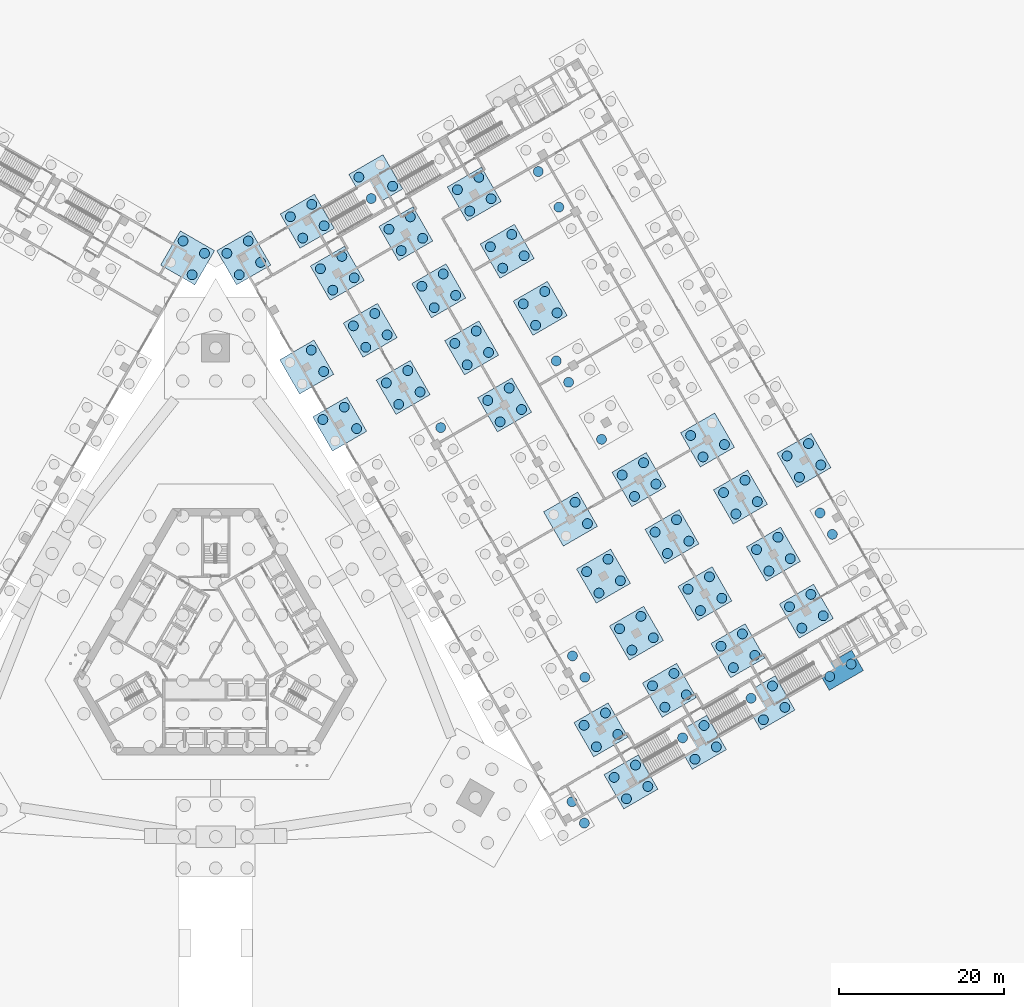
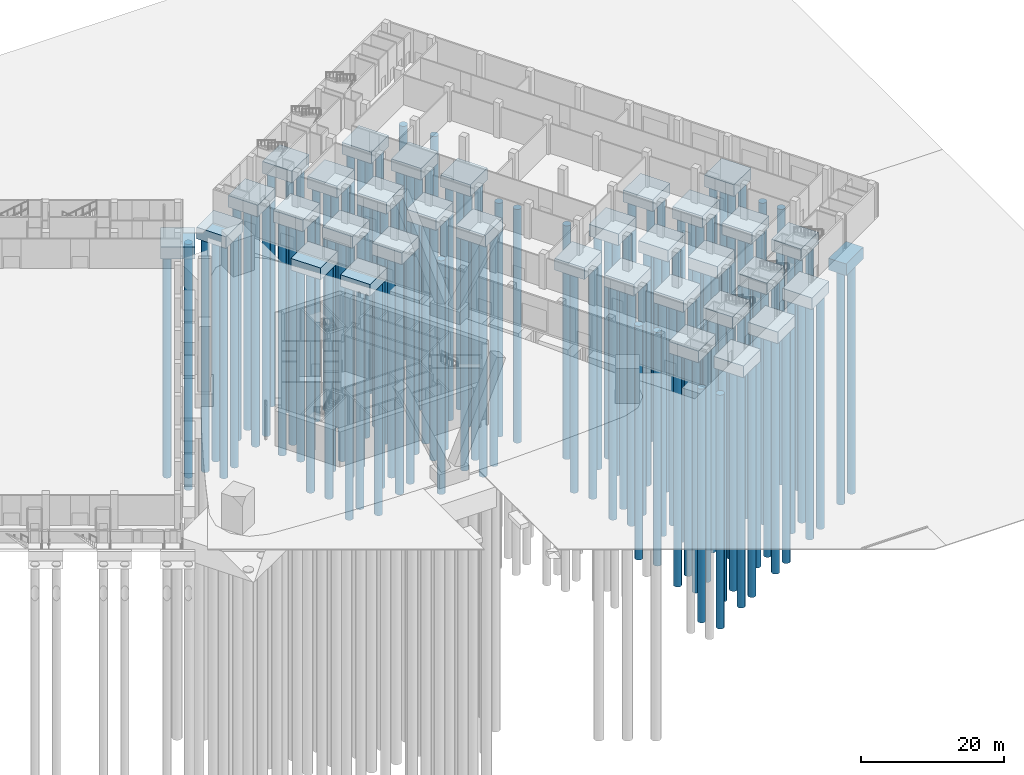
# One storey, part 3 of 38: 138 piles, 34 footings.
"""IFC4 building model written with IfcOpenShell, lengths in metres."""

from ifc_helpers import new_model, si_unit, direction, frame, origin, origin_2d, place, context, subcontext, project, spatial, polyline, circle, outline, extrude, material, layer, layer_set, material_profile, profile_set, type_object, element, save


model = new_model("IFC4")

# Units and contexts
model_context = context("Model", 3, precision=1e-05, world=origin(), true_north=direction((0.0, 1.0)))
body_context = subcontext(model_context, "Body", "Model", "MODEL_VIEW")
ifc_project = project(units=[si_unit("LENGTHUNIT", "METRE"), si_unit("AREAUNIT", "SQUARE_METRE"), si_unit("VOLUMEUNIT", "CUBIC_METRE"), si_unit("PLANEANGLEUNIT", "RADIAN"), si_unit("MASSUNIT", "GRAM", prefix="KILO")], contexts=[model_context])

# Site, building, storey
site_placement = place(None, origin())
site = spatial("IfcSite", under=ifc_project, at=site_placement, CompositionType="ELEMENT")
building_placement = place(site_placement, origin())
building = spatial("IfcBuilding", under=site, at=building_placement, Name="Mestral Congress Tower", CompositionType="ELEMENT")
storey_placement = place(building_placement, origin())
storey = spatial("IfcBuildingStorey", under=building, at=storey_placement, Name="L00", CompositionType="ELEMENT", Elevation=0.0)

# Piles
ifc_material = material(Name="Concrete C35/45", Category="concrete")
ifc_material_profile = material_profile(ifc_material, circle(Radius=0.60009765625, at=origin_2d()), Name="D1200")
ifc_profile_set = profile_set([ifc_material_profile], Name="Concrete C35/45")
pile_type = type_object("IfcPileType", Name="Bored pile D1200", PredefinedType="BORED", material=ifc_profile_set)
for number, where, z_axis, x_axis, name in (
    (1, (44.759521484375, -21.269775390625, -2.14990234375), (0.0, 0.0, -1.0), (1.0, 0.0, 0.0), "PILE-WC-E-01A-02"),
    (2, (43.259521484375, -18.671630859375, -2.14990234375), (0.0, 0.0, -1.0), (1.0, 0.0, 0.0), "PILE-WC-E-01A-04"),
    (3, (49.869140625, -18.31982421875, -2.14990234375), (0.0, 0.0, -1.0), (1.0, 0.0, 0.0), "PILE-WC-E-01B-01"),
    (4, (52.46728515625, -16.81982421875, -2.14990234375), (0.0, 0.0, -1.0), (1.0, 0.0, 0.0), "PILE-WC-E-01B-02"),
    (5, (48.369140625, -15.7216796875, -2.14990234375), (0.0, 0.0, -1.0), (1.0, 0.0, 0.0), "PILE-WC-E-01B-03"),
    (6, (50.96728515625, -14.2216796875, -2.14990234375), (0.0, 0.0, -1.0), (1.0, 0.0, 0.0), "PILE-WC-E-01B-04"),
    (7, (58.182861328125, -13.519775390625, -2.14990234375), (0.0, 0.0, -1.0), (1.0, 0.0, 0.0), "PILE-WC-E-01C-01"),
    (8, (60.781005859375, -12.019775390625, -2.14990234375), (0.0, 0.0, -1.0), (1.0, 0.0, 0.0), "PILE-WC-E-01C-02"),
    (9, (56.682861328125, -10.921630859375, -2.14990234375), (0.0, 0.0, -1.0), (1.0, 0.0, 0.0), "PILE-WC-E-01C-03"),
    (10, (59.281005859375, -9.421630859375, -2.14990234375), (0.0, 0.0, -1.0), (1.0, 0.0, 0.0), "PILE-WC-E-01C-04"),
    (11, (66.496826171875, -8.7197265625, -2.14990234375), (0.0, 0.0, -1.0), (1.0, 0.0, 0.0), "PILE-WC-E-01D-01"),
    (12, (69.094970703125, -7.2197265625, -2.14990234375), (0.0, 0.0, -1.0), (1.0, 0.0, 0.0), "PILE-WC-E-01D-02"),
    (13, (64.996826171875, -6.12158203125, -2.14990234375), (0.0, 0.0, -1.0), (1.0, 0.0, 0.0), "PILE-WC-E-01D-03"),
    (14, (67.594970703125, -4.62158203125, -2.14990234375), (0.0, 0.0, -1.0), (1.0, 0.0, 0.0), "PILE-WC-E-01D-04"),
    (15, (74.548095703125, -3.465087890625, -2.14990234375), (0.0, 0.0, -1.0), (1.0, 0.0, 0.0), "PILE-WC-E-01E-01"),
    (16, (77.146240234375, -1.965087890625, -2.14990234375), (0.0, 0.0, -1.0), (1.0, 0.0, 0.0), "PILE-WC-E-01E-02"),
    (17, (46.218994140625, -11.997802734375, -2.14990234375), (0.0, 0.0, -1.0), (1.0, 0.0, 0.0), "PILE-WC-E-02B-01"),
    (18, (48.817138671875, -10.497802734375, -2.14990234375), (0.0, 0.0, -1.0), (1.0, 0.0, 0.0), "PILE-WC-E-02B-02"),
    (19, (44.718994140625, -9.39990234375, -2.14990234375), (0.0, 0.0, -1.0), (1.0, 0.0, 0.0), "PILE-WC-E-02B-03"),
    (20, (47.317138671875, -7.89990234375, -2.14990234375), (0.0, 0.0, -1.0), (1.0, 0.0, 0.0), "PILE-WC-E-02B-04"),
    (21, (54.532958984375, -7.19775390625, -2.14990234375), (0.0, 0.0, -1.0), (1.0, 0.0, 0.0), "PILE-WC-E-02C-01"),
    (22, (57.131103515625, -5.69775390625, -2.14990234375), (0.0, 0.0, -1.0), (1.0, 0.0, 0.0), "PILE-WC-E-02C-02"),
    (23, (53.032958984375, -4.599853515625, -2.14990234375), (0.0, 0.0, -1.0), (1.0, 0.0, 0.0), "PILE-WC-E-02C-03"),
    (24, (55.631103515625, -3.099853515625, -2.14990234375), (0.0, 0.0, -1.0), (1.0, 0.0, 0.0), "PILE-WC-E-02C-04"),
    (25, (62.8466796875, -2.397705078125, -2.14990234375), (0.0, 0.0, -1.0), (1.0, 0.0, 0.0), "PILE-WC-E-02D-01"),
    (26, (65.44482421875, -0.897705078125, -2.14990234375), (0.0, 0.0, -1.0), (1.0, 0.0, 0.0), "PILE-WC-E-02D-02"),
    (27, (61.3466796875, 0.2001953125, -2.14990234375), (0.0, 0.0, -1.0), (1.0, 0.0, 0.0), "PILE-WC-E-02D-03"),
    (28, (63.94482421875, 1.7001953125, -2.14990234375), (0.0, 0.0, -1.0), (1.0, 0.0, 0.0), "PILE-WC-E-02D-04"),
    (29, (71.16064453125, 2.402099609375, -2.14990234375), (0.0, 0.0, -1.0), (1.0, 0.0, 0.0), "PILE-WC-E-02E-01"),
    (30, (73.7587890625, 3.902099609375, -2.14990234375), (0.0, 0.0, -1.0), (1.0, 0.0, 0.0), "PILE-WC-E-02E-02"),
    (31, (69.66064453125, 5.000244140625, -2.14990234375), (0.0, 0.0, -1.0), (1.0, 0.0, 0.0), "PILE-WC-E-02E-03"),
    (32, (72.2587890625, 6.500244140625, -2.14990234375), (0.0, 0.0, -1.0), (1.0, 0.0, 0.0), "PILE-WC-E-02E-04"),
    (33, (44.817138671875, -3.569580078125, -2.14990234375), (0.0, 0.0, -1.0), (1.0, 0.0, 0.0), "PILE-WC-E-03B-02"),
    (34, (43.317138671875, -0.9716796875, -2.14990234375), (0.0, 0.0, -1.0), (1.0, 0.0, 0.0), "PILE-WC-E-03B-04"),
    (35, (50.532958984375, -0.26953125, -2.14990234375), (0.0, 0.0, -1.0), (1.0, 0.0, 0.0), "PILE-WC-E-03C-01"),
    (36, (53.131103515625, 1.23046875, -2.14990234375), (0.0, 0.0, -1.0), (1.0, 0.0, 0.0), "PILE-WC-E-03C-02"),
    (37, (49.032958984375, 2.328369140625, -2.14990234375), (0.0, 0.0, -1.0), (1.0, 0.0, 0.0), "PILE-WC-E-03C-03"),
    (38, (51.631103515625, 3.828369140625, -2.14990234375), (0.0, 0.0, -1.0), (1.0, 0.0, 0.0), "PILE-WC-E-03C-04"),
    (39, (58.8466796875, 4.530517578125, -2.14990234375), (0.0, 0.0, -1.0), (1.0, 0.0, 0.0), "PILE-WC-E-03D-01"),
    (40, (61.44482421875, 6.030517578125, -2.14990234375), (0.0, 0.0, -1.0), (1.0, 0.0, 0.0), "PILE-WC-E-03D-02"),
    (41, (57.3466796875, 7.12841796875, -2.14990234375), (0.0, 0.0, -1.0), (1.0, 0.0, 0.0), "PILE-WC-E-03D-03"),
    (42, (59.94482421875, 8.62841796875, -2.14990234375), (0.0, 0.0, -1.0), (1.0, 0.0, 0.0), "PILE-WC-E-03D-04"),
    (43, (67.16064453125, 9.330322265625, -2.14990234375), (0.0, 0.0, -1.0), (1.0, 0.0, 0.0), "PILE-WC-E-03E-01"),
    (44, (69.7587890625, 10.830322265625, -2.14990234375), (0.0, 0.0, -1.0), (1.0, 0.0, 0.0), "PILE-WC-E-03E-02"),
    (45, (65.66064453125, 11.928466796875, -2.14990234375), (0.0, 0.0, -1.0), (1.0, 0.0, 0.0), "PILE-WC-E-03E-03"),
    (46, (68.2587890625, 13.428466796875, -2.14990234375), (0.0, 0.0, -1.0), (1.0, 0.0, 0.0), "PILE-WC-E-03E-04"),
    (47, (74.868408203125, 13.780517578125, -2.14990234375), (0.0, 0.0, -1.0), (1.0, 0.0, 0.0), "PILE-WC-E-03F-01"),
    (48, (73.368408203125, 16.37841796875, -2.14990234375), (0.0, 0.0, -1.0), (1.0, 0.0, 0.0), "PILE-WC-E-03F-03"),
    (49, (46.532958984375, 6.65869140625, -2.14990234375), (0.0, 0.0, -1.0), (1.0, 0.0, 0.0), "PILE-WC-E-04C-01"),
    (50, (49.131103515625, 8.15869140625, -2.14990234375), (0.0, 0.0, -1.0), (1.0, 0.0, 0.0), "PILE-WC-E-04C-02"),
    (51, (45.032958984375, 9.256591796875, -2.14990234375), (0.0, 0.0, -1.0), (1.0, 0.0, 0.0), "PILE-WC-E-04C-03"),
    (52, (47.631103515625, 10.756591796875, -2.14990234375), (0.0, 0.0, -1.0), (1.0, 0.0, 0.0), "PILE-WC-E-04C-04"),
    (53, (54.8466796875, 11.45849609375, -2.14990234375), (0.0, 0.0, -1.0), (1.0, 0.0, 0.0), "PILE-WC-E-04D-01"),
    (54, (57.44482421875, 12.95849609375, -2.14990234375), (0.0, 0.0, -1.0), (1.0, 0.0, 0.0), "PILE-WC-E-04D-02"),
    (55, (53.3466796875, 14.056640625, -2.14990234375), (0.0, 0.0, -1.0), (1.0, 0.0, 0.0), "PILE-WC-E-04D-03"),
    (56, (55.94482421875, 15.556640625, -2.14990234375), (0.0, 0.0, -1.0), (1.0, 0.0, 0.0), "PILE-WC-E-04D-04"),
    (57, (63.16064453125, 16.258544921875, -2.14990234375), (0.0, 0.0, -1.0), (1.0, 0.0, 0.0), "PILE-WC-E-04E-01"),
    (58, (65.7587890625, 17.758544921875, -2.14990234375), (0.0, 0.0, -1.0), (1.0, 0.0, 0.0), "PILE-WC-E-04E-02"),
    (59, (61.66064453125, 18.856689453125, -2.14990234375), (0.0, 0.0, -1.0), (1.0, 0.0, 0.0), "PILE-WC-E-04E-03"),
    (60, (64.2587890625, 20.356689453125, -2.14990234375), (0.0, 0.0, -1.0), (1.0, 0.0, 0.0), "PILE-WC-E-04E-04"),
    (61, (70.868408203125, 20.70849609375, -2.14990234375), (0.0, 0.0, -1.0), (1.0, 0.0, 0.0), "PILE-WC-E-04F-01"),
    (62, (73.46630859375, 22.20849609375, -2.14990234375), (0.0, 0.0, -1.0), (1.0, 0.0, 0.0), "PILE-WC-E-04F-02"),
    (63, (69.368408203125, 23.306640625, -2.14990234375), (0.0, 0.0, -1.0), (1.0, 0.0, 0.0), "PILE-WC-E-04F-03"),
    (64, (71.96630859375, 24.806640625, -2.14990234375), (0.0, 0.0, -1.0), (1.0, 0.0, 0.0), "PILE-WC-E-04F-04"),
    (65, (45.131103515625, 15.0869140625, -2.14990234375), (0.0, 0.0, -1.0), (1.0, 0.0, 0.0), "PILE-WC-E-05C-02"),
    (66, (43.631103515625, 17.684814453125, -2.14990234375), (0.0, 0.0, -1.0), (1.0, 0.0, 0.0), "PILE-WC-E-05C-04"),
    (67, (50.8466796875, 18.38671875, -2.14990234375), (0.0, 0.0, -1.0), (1.0, 0.0, 0.0), "PILE-WC-E-05D-01"),
    (68, (53.44482421875, 19.88671875, -2.14990234375), (0.0, 0.0, -1.0), (1.0, 0.0, 0.0), "PILE-WC-E-05D-02"),
    (69, (49.3466796875, 20.98486328125, -2.14990234375), (0.0, 0.0, -1.0), (1.0, 0.0, 0.0), "PILE-WC-E-05D-03"),
    (70, (51.94482421875, 22.48486328125, -2.14990234375), (0.0, 0.0, -1.0), (1.0, 0.0, 0.0), "PILE-WC-E-05D-04"),
    (71, (59.16064453125, 23.186767578125, -2.14990234375), (0.0, 0.0, -1.0), (1.0, 0.0, 0.0), "PILE-WC-E-05E-01"),
    (72, (61.7587890625, 24.686767578125, -2.14990234375), (0.0, 0.0, -1.0), (1.0, 0.0, 0.0), "PILE-WC-E-05E-02"),
    (73, (57.66064453125, 25.784912109375, -2.14990234375), (0.0, 0.0, -1.0), (1.0, 0.0, 0.0), "PILE-WC-E-05E-03"),
    (74, (46.8466796875, 25.31494140625, -2.14990234375), (0.0, 0.0, -1.0), (1.0, 0.0, 0.0), "PILE-WC-E-06D-01"),
    (75, (27.317138671875, 26.7412109375, -2.14990234375), (0.0, 0.0, -1.0), (1.0, 0.0, 0.0), "PILE-WC-E-07B-04"),
    (76, (34.532958984375, 27.443115234375, -2.14990234375), (0.0, 0.0, -1.0), (1.0, 0.0, 0.0), "PILE-WC-E-07C-01"),
    (77, (37.131103515625, 28.943115234375, -2.14990234375), (0.0, 0.0, -1.0), (1.0, 0.0, 0.0), "PILE-WC-E-07C-02"),
    (78, (33.032958984375, 30.041259765625, -2.14990234375), (0.0, 0.0, -1.0), (1.0, 0.0, 0.0), "PILE-WC-E-07C-03"),
    (79, (35.631103515625, 31.541259765625, -2.14990234375), (0.0, 0.0, -1.0), (1.0, 0.0, 0.0), "PILE-WC-E-07C-04"),
    (80, (42.8466796875, 32.2431640625, -2.14990234375), (0.0, 0.0, -1.0), (1.0, 0.0, 0.0), "PILE-WC-E-07D-01"),
    (81, (41.3466796875, 34.84130859375, -2.14990234375), (0.0, 0.0, -1.0), (1.0, 0.0, 0.0), "PILE-WC-E-07D-03"),
    (82, (17.109619140625, 26.621337890625, -2.14990234375), (0.0, 0.0, -1.0), (1.0, 0.0, 0.0), "PILE-WC-E-08A-02"),
    (83, (13.011474609375, 27.719482421875, -2.14990234375), (0.0, 0.0, -1.0), (1.0, 0.0, 0.0), "PILE-WC-E-08A-03"),
    (84, (15.609619140625, 29.219482421875, -2.14990234375), (0.0, 0.0, -1.0), (1.0, 0.0, 0.0), "PILE-WC-E-08A-04"),
    (85, (22.218994140625, 29.5712890625, -2.14990234375), (0.0, 0.0, -1.0), (1.0, 0.0, 0.0), "PILE-WC-E-08B-01"),
    (86, (24.817138671875, 31.0712890625, -2.14990234375), (0.0, 0.0, -1.0), (1.0, 0.0, 0.0), "PILE-WC-E-08B-02"),
    (87, (20.718994140625, 32.16943359375, -2.14990234375), (0.0, 0.0, -1.0), (1.0, 0.0, 0.0), "PILE-WC-E-08B-03"),
    (88, (23.317138671875, 33.66943359375, -2.14990234375), (0.0, 0.0, -1.0), (1.0, 0.0, 0.0), "PILE-WC-E-08B-04"),
    (89, (30.532958984375, 34.371337890625, -2.14990234375), (0.0, 0.0, -1.0), (1.0, 0.0, 0.0), "PILE-WC-E-08C-01"),
    (90, (33.131103515625, 35.871337890625, -2.14990234375), (0.0, 0.0, -1.0), (1.0, 0.0, 0.0), "PILE-WC-E-08C-02"),
    (91, (29.032958984375, 36.969482421875, -2.14990234375), (0.0, 0.0, -1.0), (1.0, 0.0, 0.0), "PILE-WC-E-08C-03"),
    (92, (31.631103515625, 38.469482421875, -2.14990234375), (0.0, 0.0, -1.0), (1.0, 0.0, 0.0), "PILE-WC-E-08C-04"),
    (93, (38.8466796875, 39.17138671875, -2.14990234375), (0.0, 0.0, -1.0), (1.0, 0.0, 0.0), "PILE-WC-E-08D-01"),
    (94, (41.44482421875, 40.67138671875, -2.14990234375), (0.0, 0.0, -1.0), (1.0, 0.0, 0.0), "PILE-WC-E-08D-02"),
    (95, (37.3466796875, 41.76953125, -2.14990234375), (0.0, 0.0, -1.0), (1.0, 0.0, 0.0), "PILE-WC-E-08D-03"),
    (96, (39.94482421875, 43.26953125, -2.14990234375), (0.0, 0.0, -1.0), (1.0, 0.0, 0.0), "PILE-WC-E-08D-04"),
    (97, (13.109619140625, 33.549560546875, -2.14990234375), (0.0, 0.0, -1.0), (1.0, 0.0, 0.0), "PILE-WC-E-09A-02"),
    (98, (11.609619140625, 36.147705078125, -2.14990234375), (0.0, 0.0, -1.0), (1.0, 0.0, 0.0), "PILE-WC-E-09A-04"),
    (99, (18.218994140625, 36.49951171875, -2.14990234375), (0.0, 0.0, -1.0), (1.0, 0.0, 0.0), "PILE-WC-E-09B-01"),
    (100, (20.817138671875, 37.99951171875, -2.14990234375), (0.0, 0.0, -1.0), (1.0, 0.0, 0.0), "PILE-WC-E-09B-02"),
    (101, (16.718994140625, 39.09765625, -2.14990234375), (0.0, 0.0, -1.0), (1.0, 0.0, 0.0), "PILE-WC-E-09B-03"),
    (102, (19.317138671875, 40.59765625, -2.14990234375), (0.0, 0.0, -1.0), (1.0, 0.0, 0.0), "PILE-WC-E-09B-04"),
    (103, (26.532958984375, 41.299560546875, -2.14990234375), (0.0, 0.0, -1.0), (1.0, 0.0, 0.0), "PILE-WC-E-09C-01"),
    (104, (29.131103515625, 42.799560546875, -2.14990234375), (0.0, 0.0, -1.0), (1.0, 0.0, 0.0), "PILE-WC-E-09C-02"),
    (105, (25.032958984375, 43.897705078125, -2.14990234375), (0.0, 0.0, -1.0), (1.0, 0.0, 0.0), "PILE-WC-E-09C-03"),
    (106, (27.631103515625, 45.397705078125, -2.14990234375), (0.0, 0.0, -1.0), (1.0, 0.0, 0.0), "PILE-WC-E-09C-04"),
    (107, (34.8466796875, 46.099609375, -2.14990234375), (0.0, 0.0, -1.0), (1.0, 0.0, 0.0), "PILE-WC-E-09D-01"),
    (108, (37.44482421875, 47.599609375, -2.14990234375), (0.0, 0.0, -1.0), (1.0, 0.0, 0.0), "PILE-WC-E-09D-02"),
    (109, (33.3466796875, 48.69775390625, -2.14990234375), (0.0, 0.0, -1.0), (1.0, 0.0, 0.0), "PILE-WC-E-09D-03"),
    (110, (35.94482421875, 50.19775390625, -2.14990234375), (0.0, 0.0, -1.0), (1.0, 0.0, 0.0), "PILE-WC-E-09D-04"),
    (111, (41.66064453125, 53.497802734375, -2.14990234375), (0.0, 0.0, -1.0), (1.0, 0.0, 0.0), "PILE-WC-E-09E-03"),
    (112, (14.218994140625, 43.427734375, -2.14990234375), (0.0, 0.0, -1.0), (1.0, 0.0, 0.0), "PILE-WC-E-10B-01"),
    (113, (16.817138671875, 44.927734375, -2.14990234375), (0.0, 0.0, -1.0), (1.0, 0.0, 0.0), "PILE-WC-E-10B-02"),
    (114, (12.718994140625, 46.02587890625, -2.14990234375), (0.0, 0.0, -1.0), (1.0, 0.0, 0.0), "PILE-WC-E-10B-03"),
    (115, (15.317138671875, 47.52587890625, -2.14990234375), (0.0, 0.0, -1.0), (1.0, 0.0, 0.0), "PILE-WC-E-10B-04"),
    (116, (22.532958984375, 48.227783203125, -2.14990234375), (0.0, 0.0, -1.0), (1.0, 0.0, 0.0), "PILE-WC-E-10C-01"),
    (117, (25.131103515625, 49.727783203125, -2.14990234375), (0.0, 0.0, -1.0), (1.0, 0.0, 0.0), "PILE-WC-E-10C-02"),
    (118, (21.032958984375, 50.825927734375, -2.14990234375), (0.0, 0.0, -1.0), (1.0, 0.0, 0.0), "PILE-WC-E-10C-03"),
    (119, (23.631103515625, 52.325927734375, -2.14990234375), (0.0, 0.0, -1.0), (1.0, 0.0, 0.0), "PILE-WC-E-10C-04"),
    (120, (30.8466796875, 53.02783203125, -2.14990234375), (0.0, 0.0, -1.0), (1.0, 0.0, 0.0), "PILE-WC-E-10D-01"),
    (121, (33.44482421875, 54.52783203125, -2.14990234375), (0.0, 0.0, -1.0), (1.0, 0.0, 0.0), "PILE-WC-E-10D-02"),
    (122, (29.3466796875, 55.6259765625, -2.14990234375), (0.0, 0.0, -1.0), (1.0, 0.0, 0.0), "PILE-WC-E-10D-03"),
    (123, (31.94482421875, 57.1259765625, -2.14990234375), (0.0, 0.0, -1.0), (1.0, 0.0, 0.0), "PILE-WC-E-10D-04"),
    (124, (39.16064453125, 57.827880859375, -2.14990234375), (0.0, 0.0, -1.0), (1.0, 0.0, 0.0), "PILE-WC-E-10E-01"),
    (125, (2.861572265625, 45.2998046875, -2.14990234375), (0.0, 0.0, -1.0), (1.0, 0.0, 0.0), "PILE-WC-E-11A-01"),
    (126, (5.459716796875, 46.7998046875, -2.14990234375), (0.0, 0.0, -1.0), (1.0, 0.0, 0.0), "PILE-WC-E-11A-02"),
    (127, (1.361572265625, 47.89794921875, -2.14990234375), (0.0, 0.0, -1.0), (1.0, 0.0, 0.0), "PILE-WC-E-11A-03"),
    (128, (3.959716796875, 49.39794921875, -2.14990234375), (0.0, 0.0, -1.0), (1.0, 0.0, 0.0), "PILE-WC-E-11A-04"),
    (129, (10.569091796875, 49.749755859375, -2.14990234375), (0.0, 0.0, -1.0), (1.0, 0.0, 0.0), "PILE-WC-E-11B-01"),
    (130, (13.167236328125, 51.249755859375, -2.14990234375), (0.0, 0.0, -1.0), (1.0, 0.0, 0.0), "PILE-WC-E-11B-02"),
    (131, (9.069091796875, 52.347900390625, -2.14990234375), (0.0, 0.0, -1.0), (1.0, 0.0, 0.0), "PILE-WC-E-11B-03"),
    (132, (11.667236328125, 53.847900390625, -2.14990234375), (0.0, 0.0, -1.0), (1.0, 0.0, 0.0), "PILE-WC-E-11B-04"),
    (133, (18.8828125, 54.5498046875, -2.14990234375), (0.0, 0.0, -1.0), (1.0, 0.0, 0.0), "PILE-WC-E-11C-01"),
    (134, (21.48095703125, 56.0498046875, -2.14990234375), (0.0, 0.0, -1.0), (1.0, 0.0, 0.0), "PILE-WC-E-11C-02"),
    (135, (17.3828125, 57.14794921875, -2.14990234375), (0.0, 0.0, -1.0), (1.0, 0.0, 0.0), "PILE-WC-E-11C-03"),
    (136, (-1.361572265625, 47.897705078125, -2.14990234375), (0.0, 0.0, -1.0), (1.0, 0.0, 0.0), "PILE-WC-W-01A-01"),
    (137, (-3.959716796875, 49.397705078125, -2.14990234375), (0.0, 0.0, -1.0), (1.0, 0.0, 0.0), "PILE-WC-W-01A-02"),
    (138, (-2.861572265625, 45.2998046875, -2.14990234375), (0.0, 0.0, -1.0), (1.0, 0.0, 0.0), "PILE-WC-W-01A-03"),
):
    element("IfcPile", number, at=place(storey_placement, frame(where, z_axis=z_axis, x_axis=x_axis)), inside=storey, type_object=pile_type, Name=name, PredefinedType="BORED", context=body_context, shape_type="SweptSolid", body=[
        extrude(circle(Radius=0.60009765625, at=origin_2d()), origin(), (0.0, 0.0, 1.0), 40.0),
    ])

# Footings
ifc_layer = layer(ifc_material, 2.0)
ifc_layer_set = layer_set([ifc_layer], Name="Concrete C35/45")
footing_type = type_object("IfcFootingType", Name="Wing pile cap 4800", PredefinedType="PILE_CAP", material=ifc_layer_set)
placement = place(storey_placement, frame((0.0, 0.0, -2.300048828125)))
element("IfcFooting", 139, at=placement, inside=storey, type_object=footing_type, Name="FT-WC-E-01B", PredefinedType="PILE_CAP", context=body_context, shape_type="SweptSolid", body=[
    extrude(outline(polyline([(49.539794921875, -19.54931640625), (53.696533203125, -17.149169921875), (51.296630859375, -12.9921875), (47.1396484375, -15.392333984375), (49.539794921875, -19.54931640625)])), origin(), (0.0, 0.0, 1.0), 2.0),
])
element("IfcFooting", 140, at=placement, inside=storey, type_object=footing_type, Name="FT-WC-E-01C", PredefinedType="PILE_CAP", context=body_context, shape_type="SweptSolid", body=[
    extrude(outline(polyline([(57.853515625, -14.749267578125), (62.010498046875, -12.34912109375), (59.6103515625, -8.1923828125), (55.45361328125, -10.59228515625), (57.853515625, -14.749267578125)])), origin(), (0.0, 0.0, 1.0), 2.0),
])
element("IfcFooting", 141, at=placement, inside=storey, type_object=footing_type, Name="FT-WC-E-01D", PredefinedType="PILE_CAP", context=body_context, shape_type="SweptSolid", body=[
    extrude(outline(polyline([(66.16748046875, -9.94921875), (70.32421875, -7.54931640625), (67.92431640625, -3.392333984375), (63.767333984375, -5.792236328125), (66.16748046875, -9.94921875)])), origin(), (0.0, 0.0, 1.0), 2.0),
])
element("IfcFooting", 142, at=placement, inside=storey, type_object=footing_type, Name="FT-WC-E-01E", PredefinedType="PILE_CAP", context=body_context, shape_type="SweptSolid", body=[
    extrude(outline(polyline([(74.481201171875, -5.149169921875), (78.63818359375, -2.749267578125), (77.213134765625, -0.281005859375), (73.05615234375, -2.68115234375), (74.481201171875, -5.149169921875)])), origin(), (0.0, 0.0, 1.0), 2.0),
])
element("IfcFooting", 143, at=placement, inside=storey, type_object=footing_type, Name="FT-WC-E-02B", PredefinedType="PILE_CAP", context=body_context, shape_type="SweptSolid", body=[
    extrude(outline(polyline([(45.8896484375, -13.227294921875), (50.046630859375, -10.827392578125), (47.646484375, -6.67041015625), (43.48974609375, -9.0703125), (45.8896484375, -13.227294921875)])), origin(), (0.0, 0.0, 1.0), 2.0),
])
element("IfcFooting", 144, at=placement, inside=storey, type_object=footing_type, Name="FT-WC-E-02C", PredefinedType="PILE_CAP", context=body_context, shape_type="SweptSolid", body=[
    extrude(outline(polyline([(54.20361328125, -8.42724609375), (58.3603515625, -6.02734375), (55.96044921875, -1.870361328125), (51.803466796875, -4.270263671875), (54.20361328125, -8.42724609375)])), origin(), (0.0, 0.0, 1.0), 2.0),
])
element("IfcFooting", 145, at=placement, inside=storey, type_object=footing_type, Name="FT-WC-E-02D", PredefinedType="PILE_CAP", context=body_context, shape_type="SweptSolid", body=[
    extrude(outline(polyline([(62.517333984375, -3.627197265625), (66.67431640625, -1.227294921875), (64.2744140625, 2.9296875), (60.117431640625, 0.52978515625), (62.517333984375, -3.627197265625)])), origin(), (0.0, 0.0, 1.0), 2.0),
])
element("IfcFooting", 146, at=placement, inside=storey, type_object=footing_type, Name="FT-WC-E-02E", PredefinedType="PILE_CAP", context=body_context, shape_type="SweptSolid", body=[
    extrude(outline(polyline([(70.831298828125, 1.172607421875), (74.988037109375, 3.57275390625), (72.588134765625, 7.729736328125), (68.43115234375, 5.32958984375), (70.831298828125, 1.172607421875)])), origin(), (0.0, 0.0, 1.0), 2.0),
])
element("IfcFooting", 147, at=placement, inside=storey, type_object=footing_type, Name="FT-WC-E-03C", PredefinedType="PILE_CAP", context=body_context, shape_type="SweptSolid", body=[
    extrude(outline(polyline([(50.20361328125, -1.4990234375), (54.3603515625, 0.90087890625), (51.96044921875, 5.057861328125), (47.803466796875, 2.657958984375), (50.20361328125, -1.4990234375)])), origin(), (0.0, 0.0, 1.0), 2.0),
])
element("IfcFooting", 148, at=placement, inside=storey, type_object=footing_type, Name="FT-WC-E-03D", PredefinedType="PILE_CAP", context=body_context, shape_type="SweptSolid", body=[
    extrude(outline(polyline([(58.517333984375, 3.30078125), (62.67431640625, 5.700927734375), (60.2744140625, 9.85791015625), (56.117431640625, 7.4580078125), (58.517333984375, 3.30078125)])), origin(), (0.0, 0.0, 1.0), 2.0),
])
element("IfcFooting", 149, at=placement, inside=storey, type_object=footing_type, Name="FT-WC-E-03E", PredefinedType="PILE_CAP", context=body_context, shape_type="SweptSolid", body=[
    extrude(outline(polyline([(66.831298828125, 8.100830078125), (70.988037109375, 10.5009765625), (68.588134765625, 14.657958984375), (64.43115234375, 12.2578125), (66.831298828125, 8.100830078125)])), origin(), (0.0, 0.0, 1.0), 2.0),
])
element("IfcFooting", 150, at=placement, inside=storey, type_object=footing_type, Name="FT-WC-E-04C", PredefinedType="PILE_CAP", context=body_context, shape_type="SweptSolid", body=[
    extrude(outline(polyline([(46.20361328125, 5.42919921875), (50.3603515625, 7.8291015625), (47.96044921875, 11.986083984375), (43.803466796875, 9.586181640625), (46.20361328125, 5.42919921875)])), origin(), (0.0, 0.0, 1.0), 2.0),
])
element("IfcFooting", 151, at=placement, inside=storey, type_object=footing_type, Name="FT-WC-E-04D", PredefinedType="PILE_CAP", context=body_context, shape_type="SweptSolid", body=[
    extrude(outline(polyline([(54.517333984375, 10.22900390625), (58.67431640625, 12.629150390625), (56.2744140625, 16.7861328125), (52.117431640625, 14.385986328125), (54.517333984375, 10.22900390625)])), origin(), (0.0, 0.0, 1.0), 2.0),
])
element("IfcFooting", 152, at=placement, inside=storey, type_object=footing_type, Name="FT-WC-E-04E", PredefinedType="PILE_CAP", context=body_context, shape_type="SweptSolid", body=[
    extrude(outline(polyline([(62.831298828125, 15.029052734375), (66.988037109375, 17.42919921875), (64.588134765625, 21.586181640625), (60.43115234375, 19.18603515625), (62.831298828125, 15.029052734375)])), origin(), (0.0, 0.0, 1.0), 2.0),
])
element("IfcFooting", 153, at=placement, inside=storey, type_object=footing_type, Name="FT-WC-E-04F", PredefinedType="PILE_CAP", context=body_context, shape_type="SweptSolid", body=[
    extrude(outline(polyline([(70.538818359375, 19.47900390625), (74.69580078125, 21.879150390625), (72.2958984375, 26.0361328125), (68.138916015625, 23.635986328125), (70.538818359375, 19.47900390625)])), origin(), (0.0, 0.0, 1.0), 2.0),
])
element("IfcFooting", 154, at=placement, inside=storey, type_object=footing_type, Name="FT-WC-E-05C", PredefinedType="PILE_CAP", context=body_context, shape_type="SweptSolid", body=[
    extrude(outline(polyline([(42.20361328125, 12.357421875), (46.3603515625, 14.75732421875), (43.96044921875, 18.914306640625), (39.803466796875, 16.514404296875), (42.20361328125, 12.357421875)])), origin(), (0.0, 0.0, 1.0), 2.0),
])
element("IfcFooting", 155, at=placement, inside=storey, type_object=footing_type, Name="FT-WC-E-05D", PredefinedType="PILE_CAP", context=body_context, shape_type="SweptSolid", body=[
    extrude(outline(polyline([(50.517333984375, 17.157470703125), (54.67431640625, 19.557373046875), (52.2744140625, 23.71435546875), (48.117431640625, 21.314208984375), (50.517333984375, 17.157470703125)])), origin(), (0.0, 0.0, 1.0), 2.0),
])
element("IfcFooting", 156, at=placement, inside=storey, type_object=footing_type, Name="FT-WC-E-05E", PredefinedType="PILE_CAP", context=body_context, shape_type="SweptSolid", body=[
    extrude(outline(polyline([(58.831298828125, 21.95751953125), (62.988037109375, 24.357421875), (60.588134765625, 28.514404296875), (56.43115234375, 26.1142578125), (58.831298828125, 21.95751953125)])), origin(), (0.0, 0.0, 1.0), 2.0),
])
element("IfcFooting", 157, at=placement, inside=storey, type_object=footing_type, Name="FT-WC-E-07C", PredefinedType="PILE_CAP", context=body_context, shape_type="SweptSolid", body=[
    extrude(outline(polyline([(34.20361328125, 26.2138671875), (38.3603515625, 28.61376953125), (35.96044921875, 32.770751953125), (31.803466796875, 30.37060546875), (34.20361328125, 26.2138671875)])), origin(), (0.0, 0.0, 1.0), 2.0),
])
element("IfcFooting", 158, at=placement, inside=storey, type_object=footing_type, Name="FT-WC-E-08A", PredefinedType="PILE_CAP", context=body_context, shape_type="SweptSolid", body=[
    extrude(outline(polyline([(14.18212890625, 23.89208984375), (18.339111328125, 26.2919921875), (15.93896484375, 30.448974609375), (11.781982421875, 28.048828125), (14.18212890625, 23.89208984375)])), origin(), (0.0, 0.0, 1.0), 2.0),
])
element("IfcFooting", 159, at=placement, inside=storey, type_object=footing_type, Name="FT-WC-E-08B", PredefinedType="PILE_CAP", context=body_context, shape_type="SweptSolid", body=[
    extrude(outline(polyline([(21.8896484375, 28.342041015625), (26.046630859375, 30.741943359375), (23.646484375, 34.89892578125), (19.48974609375, 32.498779296875), (21.8896484375, 28.342041015625)])), origin(), (0.0, 0.0, 1.0), 2.0),
])
element("IfcFooting", 160, at=placement, inside=storey, type_object=footing_type, Name="FT-WC-E-08C", PredefinedType="PILE_CAP", context=body_context, shape_type="SweptSolid", body=[
    extrude(outline(polyline([(30.20361328125, 33.14208984375), (34.3603515625, 35.5419921875), (31.96044921875, 39.698974609375), (27.803466796875, 37.298828125), (30.20361328125, 33.14208984375)])), origin(), (0.0, 0.0, 1.0), 2.0),
])
element("IfcFooting", 161, at=placement, inside=storey, type_object=footing_type, Name="FT-WC-E-08D", PredefinedType="PILE_CAP", context=body_context, shape_type="SweptSolid", body=[
    extrude(outline(polyline([(38.517333984375, 37.94189453125), (42.67431640625, 40.342041015625), (40.2744140625, 44.498779296875), (36.117431640625, 42.098876953125), (38.517333984375, 37.94189453125)])), origin(), (0.0, 0.0, 1.0), 2.0),
])
element("IfcFooting", 162, at=placement, inside=storey, type_object=footing_type, Name="FT-WC-E-09A", PredefinedType="PILE_CAP", context=body_context, shape_type="SweptSolid", body=[
    extrude(outline(polyline([(10.18212890625, 30.8203125), (14.339111328125, 33.22021484375), (11.93896484375, 37.377197265625), (7.781982421875, 34.97705078125), (10.18212890625, 30.8203125)])), origin(), (0.0, 0.0, 1.0), 2.0),
])
element("IfcFooting", 163, at=placement, inside=storey, type_object=footing_type, Name="FT-WC-E-09B", PredefinedType="PILE_CAP", context=body_context, shape_type="SweptSolid", body=[
    extrude(outline(polyline([(17.8896484375, 35.270263671875), (22.046630859375, 37.670166015625), (19.646484375, 41.8271484375), (15.48974609375, 39.427001953125), (17.8896484375, 35.270263671875)])), origin(), (0.0, 0.0, 1.0), 2.0),
])
element("IfcFooting", 164, at=placement, inside=storey, type_object=footing_type, Name="FT-WC-E-09C", PredefinedType="PILE_CAP", context=body_context, shape_type="SweptSolid", body=[
    extrude(outline(polyline([(26.20361328125, 40.0703125), (30.3603515625, 42.47021484375), (27.96044921875, 46.627197265625), (23.803466796875, 44.22705078125), (26.20361328125, 40.0703125)])), origin(), (0.0, 0.0, 1.0), 2.0),
])
element("IfcFooting", 165, at=placement, inside=storey, type_object=footing_type, Name="FT-WC-E-09D", PredefinedType="PILE_CAP", context=body_context, shape_type="SweptSolid", body=[
    extrude(outline(polyline([(34.517333984375, 44.8701171875), (38.67431640625, 47.270263671875), (36.2744140625, 51.427001953125), (32.117431640625, 49.027099609375), (34.517333984375, 44.8701171875)])), origin(), (0.0, 0.0, 1.0), 2.0),
])
element("IfcFooting", 166, at=placement, inside=storey, type_object=footing_type, Name="FT-WC-E-10B", PredefinedType="PILE_CAP", context=body_context, shape_type="SweptSolid", body=[
    extrude(outline(polyline([(13.8896484375, 42.198486328125), (18.046630859375, 44.598388671875), (15.646484375, 48.75537109375), (11.48974609375, 46.355224609375), (13.8896484375, 42.198486328125)])), origin(), (0.0, 0.0, 1.0), 2.0),
])
element("IfcFooting", 167, at=placement, inside=storey, type_object=footing_type, Name="FT-WC-E-10C", PredefinedType="PILE_CAP", context=body_context, shape_type="SweptSolid", body=[
    extrude(outline(polyline([(22.20361328125, 46.998291015625), (26.3603515625, 49.3984375), (23.96044921875, 53.555419921875), (19.803466796875, 51.1552734375), (22.20361328125, 46.998291015625)])), origin(), (0.0, 0.0, 1.0), 2.0),
])
element("IfcFooting", 168, at=placement, inside=storey, type_object=footing_type, Name="FT-WC-E-10D", PredefinedType="PILE_CAP", context=body_context, shape_type="SweptSolid", body=[
    extrude(outline(polyline([(30.517333984375, 51.79833984375), (34.67431640625, 54.198486328125), (32.2744140625, 58.355224609375), (28.117431640625, 55.955322265625), (30.517333984375, 51.79833984375)])), origin(), (0.0, 0.0, 1.0), 2.0),
])
element("IfcFooting", 169, at=placement, inside=storey, type_object=footing_type, Name="FT-WC-E-11A", PredefinedType="PILE_CAP", context=body_context, shape_type="SweptSolid", body=[
    extrude(outline(polyline([(2.531982421875, 44.0703125), (6.68896484375, 46.470458984375), (4.2890625, 50.627197265625), (0.132080078125, 48.227294921875), (2.531982421875, 44.0703125)])), origin(), (0.0, 0.0, 1.0), 2.0),
])
element("IfcFooting", 170, at=placement, inside=storey, type_object=footing_type, Name="FT-WC-E-11B", PredefinedType="PILE_CAP", context=body_context, shape_type="SweptSolid", body=[
    extrude(outline(polyline([(10.23974609375, 48.5205078125), (14.396484375, 50.92041015625), (11.99658203125, 55.077392578125), (7.839599609375, 52.67724609375), (10.23974609375, 48.5205078125)])), origin(), (0.0, 0.0, 1.0), 2.0),
])
element("IfcFooting", 171, at=placement, inside=storey, type_object=footing_type, Name="FT-WC-E-11C", PredefinedType="PILE_CAP", context=body_context, shape_type="SweptSolid", body=[
    extrude(outline(polyline([(18.553466796875, 53.3203125), (22.71044921875, 55.720458984375), (20.310302734375, 59.877197265625), (16.153564453125, 57.477294921875), (18.553466796875, 53.3203125)])), origin(), (0.0, 0.0, 1.0), 2.0),
])
element("IfcFooting", 172, at=placement, inside=storey, type_object=footing_type, Name="FT-WC-W-01A", PredefinedType="PILE_CAP", context=body_context, shape_type="SweptSolid", body=[
    extrude(outline(polyline([(-0.132080078125, 48.227294921875), (-4.2890625, 50.627197265625), (-6.68896484375, 46.47021484375), (-2.531982421875, 44.0703125), (-0.132080078125, 48.227294921875)])), origin(), (0.0, 0.0, 1.0), 2.0),
])

save(model, "model.ifc")
